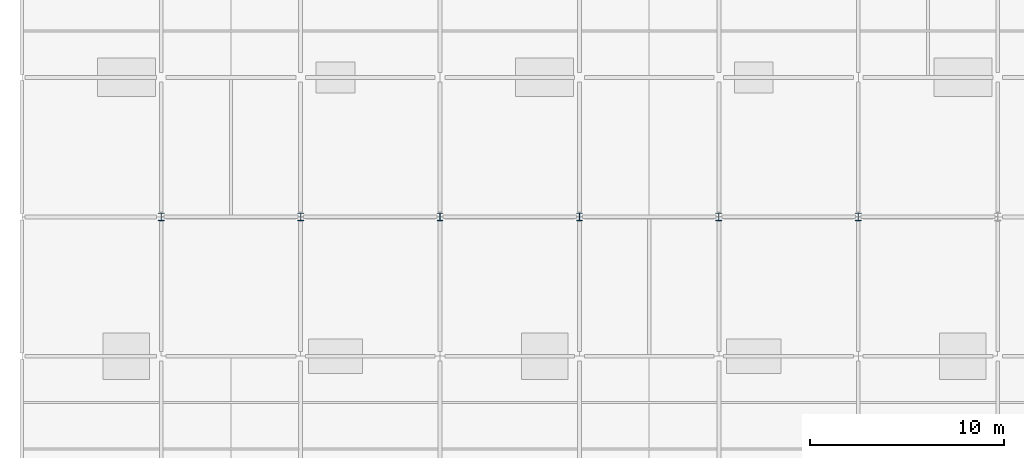
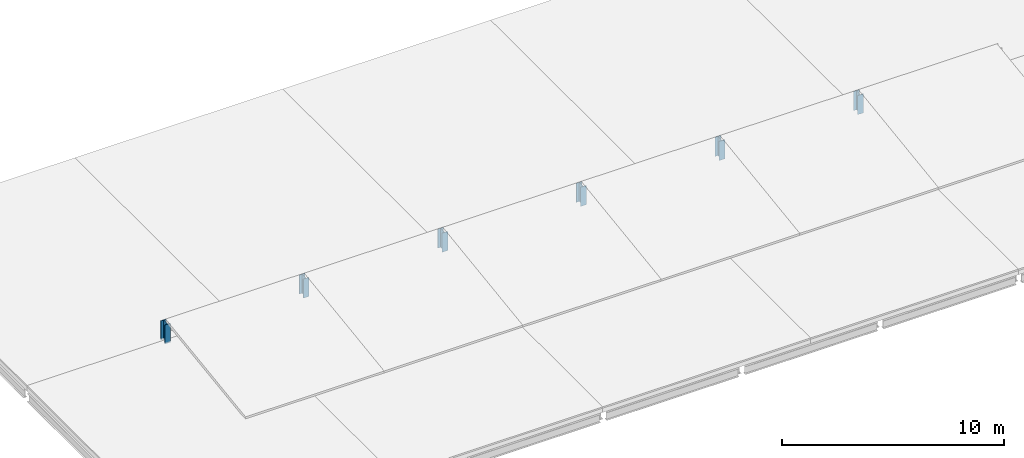
# One storey, part 1 of 16: 6 columns.
"""IFC4 building model written with IfcOpenShell, lengths in metres."""

from ifc_helpers import new_model, si_unit, direction, frame, origin, origin_2d, place, context, subcontext, project, spatial, i_section, extrude, material, material_profile, profile_set, type_object, element, save


model = new_model("IFC4")

# Units and contexts
model_context = context("Model", 3, precision=1e-05, world=origin(), true_north=direction((0.0, 1.0)))
body_context = subcontext(model_context, "Body", "Model", "MODEL_VIEW")
ifc_project = project(units=[si_unit("LENGTHUNIT", "METRE"), si_unit("AREAUNIT", "SQUARE_METRE"), si_unit("VOLUMEUNIT", "CUBIC_METRE"), si_unit("PLANEANGLEUNIT", "RADIAN"), si_unit("MASSUNIT", "GRAM", prefix="KILO")], contexts=[model_context])

# Site, building, storey
site_placement = place(None, origin())
site = spatial("IfcSite", under=ifc_project, at=site_placement, CompositionType="ELEMENT")
building_placement = place(site_placement, origin())
building = spatial("IfcBuilding", under=site, at=building_placement, Name="Sardonyx Promenade Sports Hall", CompositionType="ELEMENT")
storey_placement = place(building_placement, frame((0.0, 0.0, 24.800048828125)))
storey = spatial("IfcBuildingStorey", under=building, at=storey_placement, Name="RF", CompositionType="ELEMENT", Elevation=24.800048828125)

# Columns
ifc_material = material(Name="Steel S355JR", Category="steel")
ifc_material_profile = material_profile(ifc_material, i_section(OverallWidth=0.300048828125, OverallDepth=0.389892578125, WebThickness=0.010986328125, FlangeThickness=0.01904296875, at=origin_2d()))
ifc_profile_set = profile_set([ifc_material_profile], Name="Steel S355JR")
column_type = type_object("IfcColumnType", Name="Col_Ext_HEA400", PredefinedType="COLUMN", material=ifc_profile_set)
for number, where, z_axis, x_axis, name in (
    (1, (14.39990234375, 14.39990234375, 0.0), (0.0, 0.0, 1.0), (1.0, 0.0, 0.0), "Pavilion ridge post #1"),
    (2, (21.60009765625, 14.39990234375, 0.0), (0.0, 0.0, 1.0), (1.0, 0.0, 0.0), "Pavilion ridge post #2"),
    (3, (28.800048828125, 14.39990234375, 0.0), (0.0, 0.0, 1.0), (1.0, 0.0, 0.0), "Pavilion ridge post #3"),
    (4, (36.0, 14.39990234375, 0.0), (0.0, 0.0, 1.0), (1.0, 0.0, 0.0), "Pavilion ridge post #4"),
    (5, (43.199951171875, 14.39990234375, 0.0), (0.0, 0.0, 1.0), (1.0, 0.0, 0.0), "Pavilion ridge post #5"),
    (6, (50.39990234375, 14.39990234375, 0.0), (0.0, 0.0, 1.0), (1.0, 0.0, 0.0), "Pavilion ridge post #6"),
):
    element("IfcColumn", number, at=place(storey_placement, frame(where, z_axis=z_axis, x_axis=x_axis)), inside=storey, type_object=column_type, Name=name, PredefinedType="COLUMN", context=body_context, shape_type="SweptSolid", body=[
        extrude(i_section(OverallWidth=0.300048828125, OverallDepth=0.389892578125, WebThickness=0.010986328125, FlangeThickness=0.01904296875, at=origin_2d()), origin(), (0.0, 0.0, 1.0), 1.0517578125),
    ])

save(model, "model.ifc")
